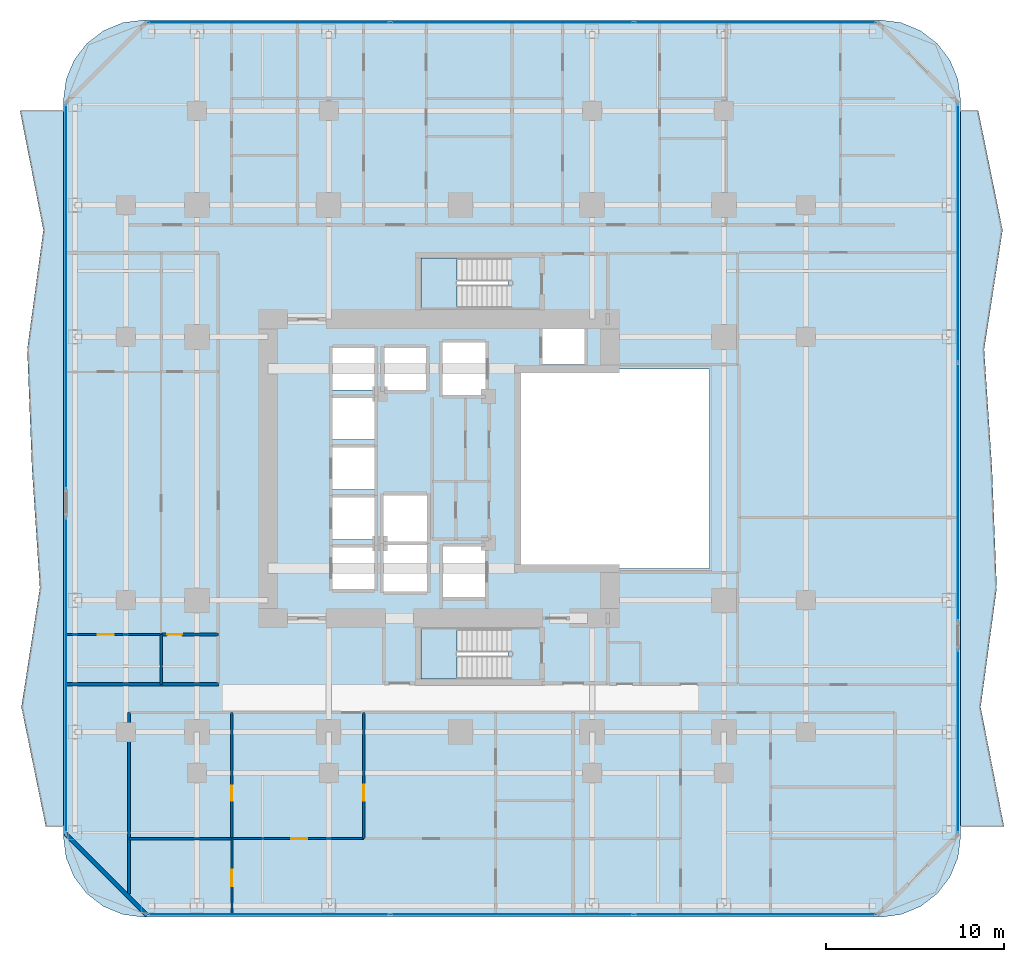
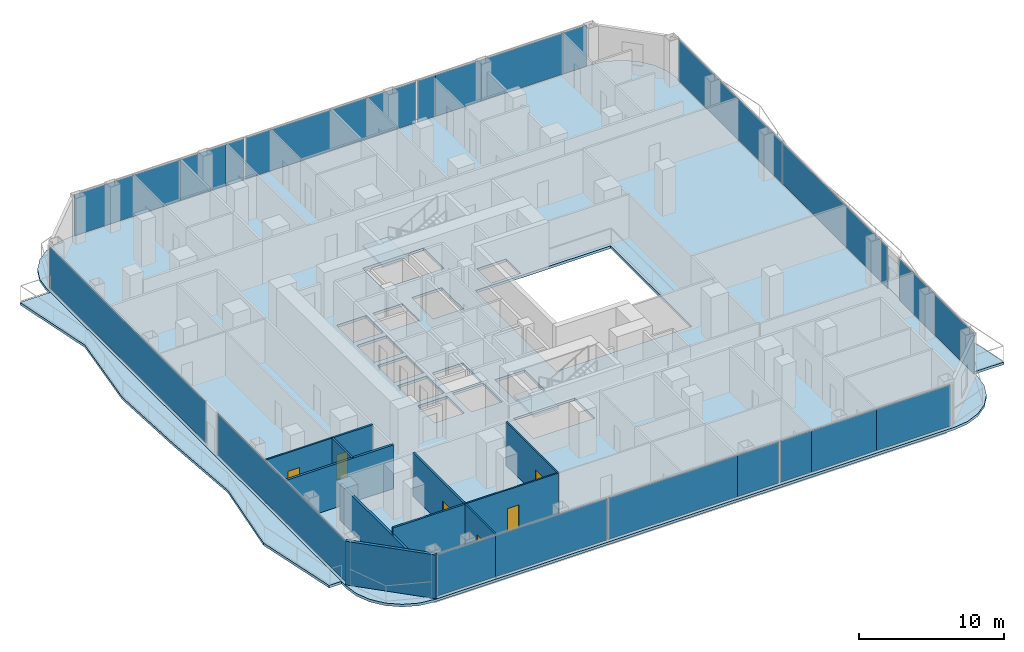
# One storey, part 19 of 27: 20 plates, 11 walls, 6 doors, 5 slabs, 6 openings, 8 elements without a shape of their own.
"""IFC4 building model written with IfcOpenShell, lengths in metres."""

import ifcopenshell
import ifcopenshell.guid

model = None  # the IFC model being written
_history = None  # IfcOwnerHistory: only IFC2X3 demands one
_inside = {}  # id of a spatial element -> (the spatial element, [elements in it])
_under = {}  # id of a project, library or spatial element -> (it, [spatial elements below it])
_declared = {}  # id of a project -> (the project, [libraries it declares])
_typed = {}  # id of a type object -> (the type object, [elements of that type])
_made_of = {}  # id of a material, layer set ... -> (it, [elements and type objects made of it])


def new_model(schema):
    """Start an empty IFC model of exactly this schema.

    Asked for "IFC4X3", IfcOpenShell would pick the latest addendum, in which some entities
    have other attributes; the version numbers below select the first issue.
    IFC2X3 requires an IfcOwnerHistory on every rooted entity: one is made here for all.
    """
    global model, _history
    if schema == "IFC4X3":
        model = ifcopenshell.file(schema_version=(4, 3, 0, 0))
    else:
        model = ifcopenshell.file(schema=schema)
    _inside.clear()
    _under.clear()
    _declared.clear()
    _typed.clear()
    _made_of.clear()
    _history = None
    if model.schema == "IFC2X3":
        org = make("IfcOrganization", Name="unknown")
        user = make(
            "IfcPersonAndOrganization",
            ThePerson=make("IfcPerson", FamilyName="unknown"),
            TheOrganization=org,
        )
        app = make(
            "IfcApplication",
            ApplicationDeveloper=org,
            Version="unknown",
            ApplicationFullName="unknown",
            ApplicationIdentifier="unknown",
        )
        _history = make(
            "IfcOwnerHistory",
            OwningUser=user,
            OwningApplication=app,
            ChangeAction="ADDED",
            CreationDate=0,
        )
    return model


def make(cls, **values):
    """One entity of the class cls with the attributes given. An attribute that is None is left unset."""
    return model.create_entity(
        cls, **{name: value for name, value in values.items() if value is not None}
    )


def rooted(cls, **values):
    """An entity with a GlobalId (a new one), such as an element, a storey or a relation."""
    return make(cls, GlobalId=ifcopenshell.guid.new(), OwnerHistory=_history, **values)


def si_unit(unit_type, name, prefix=None):
    """IfcSIUnit, for example si_unit("LENGTHUNIT", "METRE", prefix="MILLI")."""
    return make("IfcSIUnit", UnitType=unit_type, Prefix=prefix, Name=name)


def assignment(units):
    """IfcUnitAssignment: the units of a project."""
    return None if units is None else make("IfcUnitAssignment", Units=units)


def point(xyz):
    """IfcCartesianPoint."""
    return None if xyz is None else make("IfcCartesianPoint", Coordinates=xyz)


def direction(xyz):
    """IfcDirection."""
    return None if xyz is None else make("IfcDirection", DirectionRatios=xyz)


def frame(location, z_axis=None, x_axis=None):
    """IfcAxis2Placement3D, a coordinate frame: its origin and axes. An axis left out is left unset."""
    return make(
        "IfcAxis2Placement3D",
        Location=point(location),
        Axis=direction(z_axis),
        RefDirection=direction(x_axis),
    )


def frame_2d(location, x_axis=None):
    """IfcAxis2Placement2D, a coordinate frame in the plane: its origin and x axis."""
    return make(
        "IfcAxis2Placement2D", Location=point(location), RefDirection=direction(x_axis)
    )


def origin():
    """The frame at (0, 0, 0) with its axes left unset."""
    return frame((0.0, 0.0, 0.0))


def origin_2d():
    """The frame at (0, 0) in the plane with its x axis left unset."""
    return frame_2d((0.0, 0.0))


def place(relative_to, where):
    """IfcLocalPlacement: puts the frame where relative to a parent placement (None: the world)."""
    return make(
        "IfcLocalPlacement", PlacementRelTo=relative_to, RelativePlacement=where
    )


def context(
    kind, dimensions, precision=None, world=None, true_north=None, identifier=None
):
    """IfcGeometricRepresentationContext, for example the 3D "Model" context."""
    return make(
        "IfcGeometricRepresentationContext",
        ContextIdentifier=identifier,
        ContextType=kind,
        CoordinateSpaceDimension=dimensions,
        Precision=precision,
        WorldCoordinateSystem=world,
        TrueNorth=true_north,
    )


def subcontext(parent, identifier, kind, view, scale=None):
    """IfcGeometricRepresentationSubContext, for example "Body" below "Model"."""
    return make(
        "IfcGeometricRepresentationSubContext",
        ContextIdentifier=identifier,
        ContextType=kind,
        ParentContext=parent,
        TargetScale=scale,
        TargetView=view,
    )


def project(units=None, contexts=None):
    """IfcProject with its units and contexts."""
    return rooted(
        "IfcProject",
        Name="project",
        RepresentationContexts=contexts,
        UnitsInContext=assignment(units),
    )


def spatial(cls, under=None, at=None, **own):
    """A site, building, storey or space (cls), placed at a placement, below another one or the project."""
    s = rooted(cls, ObjectPlacement=at, **own)
    if under is not None:
        _under.setdefault(under.id(), (under, []))[1].append(s)
    return s


def polyline(points):
    """IfcPolyline through the points."""
    return make("IfcPolyline", Points=[point(p) for p in points])


def profile(cls, at=None, kind="AREA", **sizes):
    """A parametric profile (cls). Its sizes go by their IFC names, for example OverallWidth=200.0."""
    return make(cls, ProfileType=kind, Position=at, **sizes)


def rectangle(**sizes):
    """IfcRectangleProfileDef."""
    return profile("IfcRectangleProfileDef", **sizes)


def outline(outer, holes=None, kind="AREA"):
    """IfcArbitraryClosedProfileDef: a profile drawn as a closed curve; with holes, ...WithVoids."""
    if holes is None:
        return make("IfcArbitraryClosedProfileDef", ProfileType=kind, OuterCurve=outer)
    return make(
        "IfcArbitraryProfileDefWithVoids",
        ProfileType=kind,
        OuterCurve=outer,
        InnerCurves=holes,
    )


def extrude(swept, where, along, depth):
    """IfcExtrudedAreaSolid: the profile swept, set in the frame where, extruded along a direction by depth."""
    return make(
        "IfcExtrudedAreaSolid",
        SweptArea=swept,
        Position=where,
        ExtrudedDirection=direction(along),
        Depth=depth,
    )


def shape(context_of_items, identifier, shape_type, items):
    """IfcShapeRepresentation: the items that make up one representation, for example the "Body"."""
    return make(
        "IfcShapeRepresentation",
        ContextOfItems=context_of_items,
        RepresentationIdentifier=identifier,
        RepresentationType=shape_type,
        Items=items,
    )


def material(Name=None, Category=None):
    """IfcMaterial."""
    return make("IfcMaterial", Name=Name, Category=Category)


def layer(
    of_material, thickness, ventilated=None, Name=None, Category=None, Priority=None
):
    """IfcMaterialLayer: one layer of a wall or slab, of a material (None: an air gap)."""
    return make(
        "IfcMaterialLayer",
        Material=of_material,
        LayerThickness=thickness,
        IsVentilated=ventilated,
        Name=Name,
        Category=Category,
        Priority=Priority,
    )


def layer_set(layers, Name=None):
    """IfcMaterialLayerSet."""
    return make("IfcMaterialLayerSet", MaterialLayers=layers, LayerSetName=Name)


def made_of(thing, what):
    """Note that an element or type object is made of a material, layer set ...; save() writes the relation."""
    if what is not None:
        _made_of.setdefault(what.id(), (what, []))[1].append(thing)
    return thing


def type_object(cls, material=None, **own):
    """A type object (cls), such as IfcWallType, which elements share."""
    return made_of(rooted(cls, **own), material)


def element(
    cls,
    number,
    at=None,
    inside=None,
    cuts=None,
    type_object=None,
    material=None,
    context=None,
    identifier="Body",
    shape_type=None,
    held_by="IfcProductDefinitionShape",
    body=None,
    shapes=None,
    **own,
):
    """One element of the class cls, such as IfcWall. Its Tag is "e" and its number.

    at: its placement. inside: the storey or other place that contains it. cuts: it is an
    opening in that element (IfcRelVoidsElement). A single representation is given by context,
    identifier, shape_type and body (its items); several are given by shapes. held_by: the class
    of the entity that holds the representations. save() writes the other relations.
    """
    e = rooted(cls, Tag="e%d" % number, ObjectPlacement=at, **own)
    if body is not None:
        shapes = [shape(context, identifier, shape_type, body)]
    if shapes is not None:
        e.Representation = make(held_by, Representations=shapes)
    if inside is not None:
        _inside.setdefault(inside.id(), (inside, []))[1].append(e)
    if cuts is not None:
        rooted(
            "IfcRelVoidsElement", RelatingBuildingElement=cuts, RelatedOpeningElement=e
        )
    if type_object is not None:
        _typed.setdefault(type_object.id(), (type_object, []))[1].append(e)
    return made_of(e, material)


def fill(opening, filler):
    """IfcRelFillsElement: the door or window that sits in an opening."""
    return rooted(
        "IfcRelFillsElement",
        RelatingOpeningElement=opening,
        RelatedBuildingElement=filler,
    )


def aggregate(whole, parts):
    """IfcRelAggregates: a whole, such as a stair, and the parts it consists of."""
    return rooted("IfcRelAggregates", RelatingObject=whole, RelatedObjects=parts)


def save(model, path):
    """Write the relations noted so far, then the file.

    IfcRelAggregates (storeys below a building ...), IfcRelContainedInSpatialStructure (elements
    in a storey), IfcRelDefinesByType, IfcRelAssociatesMaterial and IfcRelDeclares: one each for
    every whole, place, type object, material and project.
    """
    for whole, parts in _under.values():
        aggregate(whole, parts)
    for where, things in _inside.values():
        rooted(
            "IfcRelContainedInSpatialStructure",
            RelatedElements=things,
            RelatingStructure=where,
        )
    for kind, things in _typed.values():
        rooted("IfcRelDefinesByType", RelatedObjects=things, RelatingType=kind)
    for what, things in _made_of.values():
        rooted("IfcRelAssociatesMaterial", RelatedObjects=things, RelatingMaterial=what)
    for by, libraries in _declared.values():
        rooted("IfcRelDeclares", RelatingContext=by, RelatedDefinitions=libraries)
    model.write(path)


model = new_model("IFC4")

# Units and contexts
model_context = context("Model", 3, precision=1e-05, world=origin(), true_north=direction((0.0, 1.0)))
body_context = subcontext(model_context, "Body", "Model", "MODEL_VIEW")
ifc_project = project(units=[si_unit("LENGTHUNIT", "METRE"), si_unit("AREAUNIT", "SQUARE_METRE"), si_unit("VOLUMEUNIT", "CUBIC_METRE"), si_unit("PLANEANGLEUNIT", "RADIAN"), si_unit("MASSUNIT", "GRAM", prefix="KILO")], contexts=[model_context])

# Site, building, storey
site_placement = place(None, origin())
site = spatial("IfcSite", under=ifc_project, at=site_placement, CompositionType="ELEMENT")
building_placement = place(site_placement, origin())
building = spatial("IfcBuilding", under=site, at=building_placement, Name="Khorvyn Point Tower", CompositionType="ELEMENT")
storey_placement = place(building_placement, frame((0.0, 0.0, 46.199951171875)))
storey = spatial("IfcBuildingStorey", under=building, at=storey_placement, Name="L12", CompositionType="ELEMENT", Elevation=46.199951171875)

# Slabs
ifc_material_1 = material(Name="Concrete C35/45", Category="concrete")
ifc_layer_1 = layer(ifc_material_1, 0.219970703125)
ifc_layer_set_1 = layer_set([ifc_layer_1], Name="Concrete C35/45 Structural Floor Slab 220")
slab_type_1 = type_object("IfcSlabType", Name="Concrete C35/45 Structural Floor Slab 220", PredefinedType="FLOOR", material=ifc_layer_set_1)
slab_1_placement = place(storey_placement, frame((0.0, 0.0, -0.219970703125)))
element("IfcSlab", 1, at=slab_1_placement, inside=storey, type_object=slab_type_1, Name="L12 Main Structural Floor Slab", PredefinedType="FLOOR", context=body_context, shape_type="SweptSolid", body=[
    extrude(outline(polyline([(-17.800048828125, -25.199951171875), (-18.964599609375, -25.046630859375), (-20.050048828125, -24.59716796875), (-20.98193359375, -23.882080078125), (-21.697021484375, -22.949951171875), (-22.146728515625, -21.86474609375), (-22.300048828125, -20.699951171875), (-22.300048828125, 20.699951171875), (-22.146728515625, 21.86474609375), (-21.697021484375, 22.949951171875), (-20.98193359375, 23.882080078125), (-20.050048828125, 24.59716796875), (-18.964599609375, 25.046630859375), (-17.800048828125, 25.199951171875), (23.60009765625, 25.199951171875), (24.7646484375, 25.046630859375), (25.85009765625, 24.59716796875), (26.781982421875, 23.882080078125), (27.4970703125, 22.949951171875), (27.94677734375, 21.86474609375), (28.10009765625, 20.699951171875), (28.10009765625, -20.699951171875), (27.94677734375, -21.86474609375), (27.4970703125, -22.949951171875), (26.781982421875, -23.882080078125), (25.85009765625, -24.59716796875), (24.7646484375, -25.046630859375), (23.60009765625, -25.199951171875), (-17.800048828125, -25.199951171875)]), holes=[polyline([(-4.824951171875, -6.77490234375), (-4.824951171875, -4.425048828125), (-7.175048828125, -4.425048828125), (-7.175048828125, -6.77490234375), (-4.824951171875, -6.77490234375)]), polyline([(-4.324951171875, -6.89990234375), (-1.875, -6.89990234375), (-1.875, -4.300048828125), (-4.324951171875, -4.300048828125), (-4.324951171875, -6.89990234375)]), polyline([(-7.175048828125, -3.97509765625), (-4.824951171875, -3.97509765625), (-4.824951171875, -1.625), (-7.175048828125, -1.625), (-7.175048828125, -3.97509765625)]), polyline([(-7.175048828125, -1.175048828125), (-4.824951171875, -1.175048828125), (-4.824951171875, 1.175048828125), (-7.175048828125, 1.175048828125), (-7.175048828125, -1.175048828125)]), polyline([(-7.175048828125, 1.625), (-4.824951171875, 1.625), (-4.824951171875, 3.97509765625), (-7.175048828125, 3.97509765625), (-7.175048828125, 1.625)]), polyline([(-7.175048828125, 4.425048828125), (-4.824951171875, 4.425048828125), (-4.824951171875, 6.77490234375), (-7.175048828125, 6.77490234375), (-7.175048828125, 4.425048828125)]), polyline([(-4.27490234375, 4.425048828125), (-1.925048828125, 4.425048828125), (-1.925048828125, 6.77490234375), (-4.27490234375, 6.77490234375), (-4.27490234375, 4.425048828125)]), polyline([(2.679931640625, -11.820068359375), (2.679931640625, -9.02001953125), (-2.199951171875, -9.02001953125), (-2.199951171875, -11.820068359375), (2.679931640625, -11.820068359375)]), polyline([(-0.97509765625, -7.22509765625), (1.375, -7.22509765625), (1.375, -4.375), (-0.97509765625, -4.375), (-0.97509765625, -7.22509765625)]), polyline([(-4.324951171875, -4.10009765625), (-1.875, -4.10009765625), (-1.875, -1.5), (-4.324951171875, -1.5), (-4.324951171875, -4.10009765625)]), polyline([(3.199951171875, -5.60009765625), (14.0, -5.60009765625), (14.0, 5.60009765625), (3.199951171875, 5.60009765625), (3.199951171875, -5.60009765625)]), polyline([(-1.0, 4.125), (1.39990234375, 4.125), (1.39990234375, 7.074951171875), (-1.0, 7.074951171875), (-1.0, 4.125)]), polyline([(4.625, 5.85009765625), (6.97509765625, 5.85009765625), (6.97509765625, 7.830078125), (4.625, 7.830078125), (4.625, 5.85009765625)]), polyline([(-2.199951171875, 9.02001953125), (2.679931640625, 9.02001953125), (2.679931640625, 11.820068359375), (-2.199951171875, 11.820068359375), (-2.199951171875, 9.02001953125)])]), origin(), (0.0, 0.0, 1.0), 0.219970703125),
])
ifc_material_2 = material(Name="Concrete C40/50", Category="concrete")
ifc_layer_2 = layer(ifc_material_2, 0.2099609375)
ifc_layer_set_2 = layer_set([ifc_layer_2], Name="Concrete C40/50 Rippling Balcony Slab 210")
slab_type_2 = type_object("IfcSlabType", Name="Concrete C40/50 Rippling Balcony Slab 210", PredefinedType="USERDEFINED", material=ifc_layer_set_2)
slab_2_placement = place(storey_placement, frame((0.0, 0.0, -0.2099609375)))
element("IfcSlab", 2, at=slab_2_placement, inside=storey, type_object=slab_type_2, Name="L12 East Sinusoidal Rippling Balcony", ObjectType="BALCONY", PredefinedType="USERDEFINED", context=body_context, shape_type="SweptSolid", body=[
    extrude(outline(polyline([(28.10009765625, -20.10009765625), (30.53857421875, -20.10009765625), (29.225341796875, -13.39990234375), (30.129638671875, -6.699951171875), (29.864990234375, 0.0), (29.422607421875, 6.699951171875), (30.458984375, 13.39990234375), (29.0927734375, 20.10009765625), (28.10009765625, 20.10009765625), (28.10009765625, -20.10009765625)])), origin(), (0.0, 0.0, 1.0), 0.2099609375),
])
slab_3_placement = place(storey_placement, frame((0.0, 0.0, -0.2099609375)))
element("IfcSlab", 3, at=slab_3_placement, inside=storey, type_object=slab_type_2, Name="L12 West Sinusoidal Rippling Balcony", ObjectType="BALCONY", PredefinedType="USERDEFINED", context=body_context, shape_type="SweptSolid", body=[
    extrude(outline(polyline([(-22.300048828125, 20.10009765625), (-24.738525390625, 20.10009765625), (-23.42529296875, 13.39990234375), (-24.32958984375, 6.699951171875), (-24.06494140625, 0.0), (-23.62255859375, -6.699951171875), (-24.6591796875, -13.39990234375), (-23.292724609375, -20.10009765625), (-22.300048828125, -20.10009765625), (-22.300048828125, 20.10009765625)])), origin(), (0.0, 0.0, 1.0), 0.2099609375),
])

# Stair, slab
stair_type = type_object("IfcStairType", Name="Tower Concrete C40/50 Dogleg Exit Stair", PredefinedType="HALF_TURN_STAIR", material=ifc_material_2)
stair_1_placement = place(storey_placement, origin())
stair_1 = element("IfcStair", 4, at=stair_1_placement, inside=storey, type_object=stair_type, Name="L12 Tower Smokeproof Exit Stair South", PredefinedType="HALF_TURN_STAIR")
ifc_layer_3 = layer(ifc_material_2, 0.199951171875)
ifc_layer_set_3 = layer_set([ifc_layer_3], Name="Concrete C40/50 Stair Landing Slab 200")
slab_type_3 = type_object("IfcSlabType", Name="Concrete C40/50 Stair Landing Slab 200", PredefinedType="LANDING", material=ifc_layer_set_3)
slab_4_placement = place(storey_placement, frame((0.0, 0.0, 1.75)))
slab_4 = element("IfcSlab", 5, at=slab_4_placement, type_object=slab_type_3, Name="ST-01 landing 1", PredefinedType="LANDING", context=body_context, shape_type="SweptSolid", body=[
    extrude(outline(polyline([(-0.179931640625, -9.02001953125), (-2.199951171875, -9.02001953125), (-2.199951171875, -11.820068359375), (-0.179931640625, -11.820068359375), (-0.179931640625, -9.02001953125)])), origin(), (0.0, 0.0, 1.0), 0.199951171875),
])
aggregate(stair_1, [slab_4])

stair_2_placement = place(storey_placement, origin())
stair_2 = element("IfcStair", 6, at=stair_2_placement, inside=storey, type_object=stair_type, Name="L12 Tower Smokeproof Exit Stair North", PredefinedType="HALF_TURN_STAIR")
slab_5_placement = place(storey_placement, frame((0.0, 0.0, 1.75)))
slab_5 = element("IfcSlab", 7, at=slab_5_placement, type_object=slab_type_3, Name="ST-02 landing 1", PredefinedType="LANDING", context=body_context, shape_type="SweptSolid", body=[
    extrude(outline(polyline([(-0.179931640625, 11.820068359375), (-2.199951171875, 11.820068359375), (-2.199951171875, 9.02001953125), (-0.179931640625, 9.02001953125), (-0.179931640625, 11.820068359375)])), origin(), (0.0, 0.0, 1.0), 0.199951171875),
])
aggregate(stair_2, [slab_5])

# Curtain wall, plates
ifc_material_3 = material(Name="Anodised aluminium 6063-T6 and laminated Low-E glass", Category="aluminium")
ifc_layer_4 = layer(ifc_material_3, 0.18994140625)
ifc_layer_set_4 = layer_set([ifc_layer_4], Name="Stick-Built Finned Residential Curtain Wall CW-SYS-02")
curtain_wall_type = type_object("IfcCurtainWallType", Name="Stick-Built Finned Residential Curtain Wall CW-SYS-02", PredefinedType="NOTDEFINED", material=ifc_layer_set_4)
curtain_wall_1_placement = place(storey_placement, origin())
curtain_wall_1 = element("IfcCurtainWall", 8, at=curtain_wall_1_placement, inside=storey, type_object=curtain_wall_type, Name="Curtain Wall", PredefinedType="NOTDEFINED")
ifc_material_4 = material(Name="Laminated Low-E insulated glass", Category="glass")
ifc_layer_5 = layer(ifc_material_4, 0.028076171875)
ifc_layer_set_5 = layer_set([ifc_layer_5], Name="Tempered Low-E Vision Glazing Panel CW-GL28")
plate_type = type_object("IfcPlateType", Name="Tempered Low-E Vision Glazing Panel CW-GL28", PredefinedType="CURTAIN_PANEL", material=ifc_layer_set_5)
plate_1_placement = place(storey_placement, frame((11.0576171875, -25.050048828125, 0.10009765625), z_axis=(0.0, 0.0, 1.0), x_axis=(-1.0, 0.0, 0.0)))
plate_1 = element("IfcPlate", 9, at=plate_1_placement, type_object=plate_type, Name="Panel", PredefinedType="CURTAIN_PANEL", context=body_context, shape_type="SweptSolid", body=[
    extrude(rectangle(XDim=2.507080078125, YDim=0.028076171875, at=origin_2d()), origin(), (0.0, 0.0, 1.0), 3.47998046875),
])
plate_2_placement = place(storey_placement, frame((14.901611328125, -25.050048828125, 0.10009765625), z_axis=(0.0, 0.0, 1.0), x_axis=(-1.0, 0.0, 0.0)))
plate_2 = element("IfcPlate", 10, at=plate_2_placement, type_object=plate_type, Name="Panel", PredefinedType="CURTAIN_PANEL", context=body_context, shape_type="SweptSolid", body=[
    extrude(rectangle(XDim=5.1650390625, YDim=0.028076171875, at=origin_2d()), origin(), (0.0, 0.0, 1.0), 3.47998046875),
])
plate_3_placement = place(storey_placement, frame((20.4189453125, -25.050048828125, 0.10009765625), z_axis=(0.0, 0.0, 1.0), x_axis=(-1.0, 0.0, 0.0)))
plate_3 = element("IfcPlate", 11, at=plate_3_placement, type_object=plate_type, Name="Panel", PredefinedType="CURTAIN_PANEL", context=body_context, shape_type="SweptSolid", body=[
    extrude(rectangle(XDim=5.85400390625, YDim=0.028076171875, at=origin_2d()), origin(), (0.0, 0.0, 1.0), 3.47998046875),
])
plate_4_placement = place(storey_placement, frame((1.25146484375, -25.050048828125, 0.10009765625), z_axis=(0.0, 0.0, 1.0), x_axis=(-1.0, 0.0, 0.0)))
plate_4 = element("IfcPlate", 12, at=plate_4_placement, type_object=plate_type, Name="Panel", PredefinedType="CURTAIN_PANEL", context=body_context, shape_type="SweptSolid", body=[
    extrude(rectangle(XDim=10.294921875, YDim=0.028076171875, at=origin_2d()), origin(), (0.0, 0.0, 1.0), 3.47998046875),
])
plate_5_placement = place(storey_placement, frame((8.051513671875, -25.050048828125, 0.10009765625), z_axis=(0.0, 0.0, 1.0), x_axis=(-1.0, 0.0, 0.0)))
plate_5 = element("IfcPlate", 13, at=plate_5_placement, type_object=plate_type, Name="Panel", PredefinedType="CURTAIN_PANEL", context=body_context, shape_type="SweptSolid", body=[
    extrude(rectangle(XDim=3.2890625, YDim=0.028076171875, at=origin_2d()), origin(), (0.0, 0.0, 1.0), 3.47998046875),
])
plate_6_placement = place(storey_placement, frame((-15.223388671875, -25.050048828125, 0.10009765625), z_axis=(0.0, 0.0, 1.0), x_axis=(-1.0, 0.0, 0.0)))
plate_6 = element("IfcPlate", 14, at=plate_6_placement, type_object=plate_type, Name="Panel", PredefinedType="CURTAIN_PANEL", context=body_context, shape_type="SweptSolid", body=[
    extrude(rectangle(XDim=4.64501953125, YDim=0.028076171875, at=origin_2d()), origin(), (0.0, 0.0, 1.0), 3.47998046875),
])
plate_7_placement = place(storey_placement, frame((-8.448486328125, -25.050048828125, 0.10009765625), z_axis=(0.0, 0.0, 1.0), x_axis=(-1.0, 0.0, 0.0)))
plate_7 = element("IfcPlate", 15, at=plate_7_placement, type_object=plate_type, Name="Panel", PredefinedType="CURTAIN_PANEL", context=body_context, shape_type="SweptSolid", body=[
    extrude(rectangle(XDim=8.888916015625, YDim=0.028076171875, at=origin_2d()), origin(), (0.0, 0.0, 1.0), 3.47998046875),
])
aggregate(curtain_wall_1, [plate_1, plate_2, plate_3, plate_4, plate_5, plate_6, plate_7])

curtain_wall_2_placement = place(storey_placement, origin())
curtain_wall_2 = element("IfcCurtainWall", 16, at=curtain_wall_2_placement, inside=storey, type_object=curtain_wall_type, Name="Curtain Wall", PredefinedType="NOTDEFINED")
plate_8_placement = place(storey_placement, frame((-13.320556640625, 25.050048828125, 0.10009765625), z_axis=(0.0, 0.0, 1.0), x_axis=(1.0, 0.0, 0.0)))
plate_8 = element("IfcPlate", 17, at=plate_8_placement, type_object=plate_type, Name="Panel", PredefinedType="CURTAIN_PANEL", context=body_context, shape_type="SweptSolid", body=[
    extrude(rectangle(XDim=8.450927734375, YDim=0.028076171875, at=origin_2d()), origin(), (0.0, 0.0, 1.0), 3.47998046875),
])
plate_9_placement = place(storey_placement, frame((-7.29248046875, 25.050048828125, 0.10009765625), z_axis=(0.0, 0.0, 1.0), x_axis=(1.0, 0.0, 0.0)))
plate_9 = element("IfcPlate", 18, at=plate_9_placement, type_object=plate_type, Name="Panel", PredefinedType="CURTAIN_PANEL", context=body_context, shape_type="SweptSolid", body=[
    extrude(rectangle(XDim=3.589111328125, YDim=0.028076171875, at=origin_2d()), origin(), (0.0, 0.0, 1.0), 3.47998046875),
])
plate_10_placement = place(storey_placement, frame((-4.7470703125, 25.050048828125, 0.10009765625), z_axis=(0.0, 0.0, 1.0), x_axis=(1.0, 0.0, 0.0)))
plate_10 = element("IfcPlate", 19, at=plate_10_placement, type_object=plate_type, Name="Panel", PredefinedType="CURTAIN_PANEL", context=body_context, shape_type="SweptSolid", body=[
    extrude(rectangle(XDim=1.486083984375, YDim=0.028076171875, at=origin_2d()), origin(), (0.0, 0.0, 1.0), 3.47998046875),
])
plate_11_placement = place(storey_placement, frame((2.89990234375, 25.050048828125, 0.10009765625), z_axis=(0.0, 0.0, 1.0), x_axis=(1.0, 0.0, 0.0)))
plate_11 = element("IfcPlate", 20, at=plate_11_placement, type_object=plate_type, Name="Panel", PredefinedType="CURTAIN_PANEL", context=body_context, shape_type="SweptSolid", body=[
    extrude(rectangle(XDim=13.60009765625, YDim=0.028076171875, at=origin_2d()), origin(), (0.0, 0.0, 1.0), 3.47998046875),
])
plate_12_placement = place(storey_placement, frame((10.525390625, 25.050048828125, 0.10009765625), z_axis=(0.0, 0.0, 1.0), x_axis=(1.0, 0.0, 0.0)))
plate_12 = element("IfcPlate", 21, at=plate_12_placement, type_object=plate_type, Name="Panel", PredefinedType="CURTAIN_PANEL", context=body_context, shape_type="SweptSolid", body=[
    extrude(rectangle(XDim=1.443115234375, YDim=0.028076171875, at=origin_2d()), origin(), (0.0, 0.0, 1.0), 3.47998046875),
])
plate_13_placement = place(storey_placement, frame((13.071044921875, 25.050048828125, 0.10009765625), z_axis=(0.0, 0.0, 1.0), x_axis=(1.0, 0.0, 0.0)))
plate_13 = element("IfcPlate", 22, at=plate_13_placement, type_object=plate_type, Name="Panel", PredefinedType="CURTAIN_PANEL", context=body_context, shape_type="SweptSolid", body=[
    extrude(rectangle(XDim=3.632080078125, YDim=0.028076171875, at=origin_2d()), origin(), (0.0, 0.0, 1.0), 3.47998046875),
])
plate_14_placement = place(storey_placement, frame((18.151611328125, 25.050048828125, 0.10009765625), z_axis=(0.0, 0.0, 1.0), x_axis=(1.0, 0.0, 0.0)))
plate_14 = element("IfcPlate", 23, at=plate_14_placement, type_object=plate_type, Name="Panel", PredefinedType="CURTAIN_PANEL", context=body_context, shape_type="SweptSolid", body=[
    extrude(rectangle(XDim=6.512939453125, YDim=0.028076171875, at=origin_2d()), origin(), (0.0, 0.0, 1.0), 3.47998046875),
])
plate_15_placement = place(storey_placement, frame((22.381103515625, 25.050048828125, 0.10009765625), z_axis=(0.0, 0.0, 1.0), x_axis=(1.0, 0.0, 0.0)))
plate_15 = element("IfcPlate", 24, at=plate_15_placement, type_object=plate_type, Name="Panel", PredefinedType="CURTAIN_PANEL", context=body_context, shape_type="SweptSolid", body=[
    extrude(rectangle(XDim=1.929931640625, YDim=0.028076171875, at=origin_2d()), origin(), (0.0, 0.0, 1.0), 3.47998046875),
])
aggregate(curtain_wall_2, [plate_8, plate_9, plate_10, plate_11, plate_12, plate_13, plate_14, plate_15])

# Curtain wall, plate
curtain_wall_3_placement = place(storey_placement, origin())
curtain_wall_3 = element("IfcCurtainWall", 25, at=curtain_wall_3_placement, inside=storey, type_object=curtain_wall_type, Name="Curtain Wall", PredefinedType="NOTDEFINED")
plate_16_placement = place(storey_placement, frame((-22.14990234375, -11.60595703125, 0.10009765625), z_axis=(0.0, 0.0, 1.0), x_axis=(0.0, 1.0, 0.0)))
plate_16 = element("IfcPlate", 26, at=plate_16_placement, type_object=plate_type, Name="Panel", PredefinedType="CURTAIN_PANEL", context=body_context, shape_type="SweptSolid", body=[
    extrude(rectangle(XDim=17.68798828125, YDim=0.028076171875, at=origin_2d()), origin(), (0.0, 0.0, 1.0), 3.47998046875),
])
aggregate(curtain_wall_3, [plate_16])

curtain_wall_4_placement = place(storey_placement, origin())
curtain_wall_4 = element("IfcCurtainWall", 27, at=curtain_wall_4_placement, inside=storey, type_object=curtain_wall_type, Name="Curtain Wall", PredefinedType="NOTDEFINED")
plate_17_placement = place(storey_placement, frame((-22.14990234375, 9.6640625, 0.10009765625), z_axis=(0.0, 0.0, 1.0), x_axis=(0.0, 1.0, 0.0)))
plate_17 = element("IfcPlate", 28, at=plate_17_placement, type_object=plate_type, Name="Panel", PredefinedType="CURTAIN_PANEL", context=body_context, shape_type="SweptSolid", body=[
    extrude(rectangle(XDim=21.572021484375, YDim=0.028076171875, at=origin_2d()), origin(), (0.0, 0.0, 1.0), 3.47998046875),
])
aggregate(curtain_wall_4, [plate_17])

# Curtain wall, plates
curtain_wall_5_placement = place(storey_placement, origin())
curtain_wall_5 = element("IfcCurtainWall", 29, at=curtain_wall_5_placement, inside=storey, type_object=curtain_wall_type, Name="Curtain Wall", PredefinedType="NOTDEFINED")
plate_18_placement = place(storey_placement, frame((27.949951171875, 13.225830078125, 0.10009765625), z_axis=(0.0, 0.0, 1.0), x_axis=(0.0, -1.0, 0.0)))
plate_18 = element("IfcPlate", 30, at=plate_18_placement, type_object=plate_type, Name="Panel", PredefinedType="CURTAIN_PANEL", context=body_context, shape_type="SweptSolid", body=[
    extrude(rectangle(XDim=14.448486328125, YDim=0.028076171875, at=origin_2d()), origin(), (0.0, 0.0, 1.0), 3.47998046875),
])
plate_19_placement = place(storey_placement, frame((27.949951171875, -1.32275390625, 0.10009765625), z_axis=(0.0, 0.0, 1.0), x_axis=(0.0, -1.0, 0.0)))
plate_19 = element("IfcPlate", 31, at=plate_19_placement, type_object=plate_type, Name="Panel", PredefinedType="CURTAIN_PANEL", context=body_context, shape_type="SweptSolid", body=[
    extrude(rectangle(XDim=14.448486328125, YDim=0.028076171875, at=origin_2d()), origin(), (0.0, 0.0, 1.0), 3.47998046875),
])
aggregate(curtain_wall_5, [plate_18, plate_19])

# Curtain wall, plate
curtain_wall_6_placement = place(storey_placement, origin())
curtain_wall_6 = element("IfcCurtainWall", 32, at=curtain_wall_6_placement, inside=storey, type_object=curtain_wall_type, Name="Curtain Wall", PredefinedType="NOTDEFINED")
plate_20_placement = place(storey_placement, frame((27.949951171875, -15.318603515625, 0.10009765625), z_axis=(0.0, 0.0, 1.0), x_axis=(0.0, -1.0, 0.0)))
plate_20 = element("IfcPlate", 33, at=plate_20_placement, type_object=plate_type, Name="Panel", PredefinedType="CURTAIN_PANEL", context=body_context, shape_type="SweptSolid", body=[
    extrude(rectangle(XDim=10.262939453125, YDim=0.028076171875, at=origin_2d()), origin(), (0.0, 0.0, 1.0), 3.47998046875),
])
aggregate(curtain_wall_6, [plate_20])

# Walls
ifc_material_5 = material(Name="Double acoustic gypsum on twin steel stud", Category="steel")
ifc_layer_6 = layer(ifc_material_5, 0.179931640625)
ifc_layer_set_6 = layer_set([ifc_layer_6], Name="Acoustic Double-Stud Apartment Demising Wall 180")
wall_type_1 = type_object("IfcWallType", Name="Acoustic Double-Stud Apartment Demising Wall 180", PredefinedType="PARTITIONING", material=ifc_layer_set_6)
wall_1_placement = place(storey_placement, frame((-18.6201171875, -23.909912109375, 0.0), z_axis=(0.0, 0.0, 1.0), x_axis=(0.0, 1.0, 0.0)))
element("IfcWall", 34, at=wall_1_placement, inside=storey, type_object=wall_type_1, Name="Wall", PredefinedType="PARTITIONING", context=body_context, shape_type="SweptSolid", body=[
    extrude(rectangle(XDim=10.2099609375, YDim=0.179931640625, at=frame_2d((5.10498046875, 0.0))), origin(), (0.0, 0.0, 1.0), 3.08203125),
])
wall_2_placement = place(storey_placement, frame((-22.1298828125, -12.1201171875, 0.0), z_axis=(0.0, 0.0, 1.0), x_axis=(1.0, 0.0, 0.0)))
element("IfcWall", 35, at=wall_2_placement, inside=storey, type_object=wall_type_1, Name="Wall", PredefinedType="PARTITIONING", context=body_context, shape_type="SweptSolid", body=[
    extrude(rectangle(XDim=8.52978515625, YDim=0.179931640625, at=frame_2d((4.264892578125, 0.0))), origin(), (0.0, 0.0, 1.0), 3.679931640625),
])
ifc_material_6 = material(Name="Pale anodised aluminium rainscreen on steel stud", Category="steel")
ifc_layer_7 = layer(ifc_material_6, 0.239990234375)
ifc_layer_set_7 = layer_set([ifc_layer_7], Name="Anodised Aluminium Insulated Corner Spandrel Wall 240")
wall_type_2 = type_object("IfcWallType", Name="Anodised Aluminium Insulated Corner Spandrel Wall 240", PredefinedType="SOLIDWALL", material=ifc_layer_set_7)
wall_3_placement = place(storey_placement, frame((-17.607666015625, -25.09228515625, 0.0), z_axis=(0.0, 0.0, 1.0), x_axis=(-0.707106781187, 0.707106781187, 0.0)))
element("IfcWall", 36, at=wall_3_placement, inside=storey, type_object=wall_type_2, Name="L12 Rounded Corner Wall SW", PredefinedType="SOLIDWALL", context=body_context, shape_type="SweptSolid", body=[
    extrude(rectangle(XDim=6.48388671875, YDim=0.239990234375, at=frame_2d((3.241943359375, 0.0))), origin(), (0.0, 0.0, 1.0), 3.679931640625),
])

# Wall, opening, door
ifc_material_7 = material(Name="Gypsum plasterboard on steel stud", Category="steel")
ifc_layer_8 = layer(ifc_material_7, 0.1201171875)
ifc_layer_set_8 = layer_set([ifc_layer_8], Name="Gypsum Acoustic Stud Room Partition Wall 120")
wall_type_3 = type_object("IfcWallType", Name="Gypsum Acoustic Stud Room Partition Wall 120", PredefinedType="PARTITIONING", material=ifc_layer_set_8)
wall_4_placement = place(storey_placement, frame((-12.8369140625, -20.7900390625, 0.0), z_axis=(0.0, 0.0, 1.0), x_axis=(1.0, 0.0, 0.0)))
wall_4 = element("IfcWall", 37, at=wall_4_placement, inside=storey, type_object=wall_type_3, Name="Wall", PredefinedType="PARTITIONING", context=body_context, shape_type="SweptSolid", body=[
    extrude(rectangle(XDim=7.411865234375, YDim=0.1201171875, at=frame_2d((3.7060546875, 0.0))), origin(), (0.0, 0.0, 1.0), 3.679931640625),
])
opening_1_placement = place(wall_4_placement, frame((3.344482421875, 0.0, 0.0)))
opening_1 = element("IfcOpeningElement", 38, at=opening_1_placement, cuts=wall_4, Name="Opening ID-RM90", PredefinedType="OPENING", context=body_context, shape_type="SweptSolid", body=[
    extrude(rectangle(XDim=0.89990234375, YDim=2.10009765625, at=frame_2d((0.449951171875, 1.050048828125))), frame((0.0, 0.070068359375, 0.0), z_axis=(0.0, -1.0, 0.0), x_axis=(1.0, 0.0, 0.0)), (0.0, 0.0, 1.0), 0.14013671875),
])
ifc_material_8 = material(Name="Engineered oak veneer timber", Category="wood")
door_type_1 = type_object("IfcDoorType", Name="Flush Engineered Timber Room Door 900x2100", OperationType="NOTDEFINED", PredefinedType="DOOR", material=ifc_material_8)
door_1_placement = place(opening_1_placement, origin())
door_1 = element("IfcDoor", 39, at=door_1_placement, inside=storey, type_object=door_type_1, Name="Door", OperationType="SINGLE_SWING_RIGHT", OverallHeight=2.10009765625, OverallWidth=0.89990234375, PredefinedType="DOOR", context=body_context, shape_type="SweptSolid", body=[
    extrude(rectangle(XDim=0.89990234375, YDim=2.10009765625, at=frame_2d((0.449951171875, 1.050048828125))), frame((0.0, 0.02490234375, 0.0), z_axis=(0.0, -1.0, 0.0), x_axis=(1.0, 0.0, 0.0)), (0.0, 0.0, 1.0), 0.050048828125),
])
fill(opening_1, door_1)

wall_5_placement = place(storey_placement, frame((-5.425048828125, -20.7900390625, 0.0), z_axis=(0.0, 0.0, 1.0), x_axis=(0.0, 1.0, 0.0)))
wall_5 = element("IfcWall", 40, at=wall_5_placement, inside=storey, type_object=wall_type_3, Name="Wall", PredefinedType="PARTITIONING", context=body_context, shape_type="SweptSolid", body=[
    extrude(rectangle(XDim=7.090087890625, YDim=0.1201171875, at=frame_2d((3.544921875, 0.0))), origin(), (0.0, 0.0, 1.0), 3.679931640625),
])
opening_2_placement = place(wall_5_placement, frame((2.11669921875, 0.0, 0.0)))
opening_2 = element("IfcOpeningElement", 41, at=opening_2_placement, cuts=wall_5, Name="Opening ID-RM90", PredefinedType="OPENING", context=body_context, shape_type="SweptSolid", body=[
    extrude(rectangle(XDim=0.89990234375, YDim=2.10009765625, at=frame_2d((0.449951171875, 1.050048828125))), frame((0.0, 0.070068359375, 0.0), z_axis=(0.0, -1.0, 0.0), x_axis=(1.0, 0.0, 0.0)), (0.0, 0.0, 1.0), 0.14013671875),
])
door_2_placement = place(opening_2_placement, origin())
door_2 = element("IfcDoor", 42, at=door_2_placement, inside=storey, type_object=door_type_1, Name="Door", OperationType="SINGLE_SWING_RIGHT", OverallHeight=2.10009765625, OverallWidth=0.89990234375, PredefinedType="DOOR", context=body_context, shape_type="SweptSolid", body=[
    extrude(rectangle(XDim=0.89990234375, YDim=2.10009765625, at=frame_2d((0.449951171875, 1.050048828125))), frame((0.0, 0.02490234375, 0.0), z_axis=(0.0, -1.0, 0.0), x_axis=(1.0, 0.0, 0.0)), (0.0, 0.0, 1.0), 0.050048828125),
])
fill(opening_2, door_2)

wall_6_placement = place(storey_placement, frame((-12.8369140625, -25.030029296875, 0.0), z_axis=(0.0, 0.0, 1.0), x_axis=(0.0, 1.0, 0.0)))
wall_6 = element("IfcWall", 43, at=wall_6_placement, inside=storey, type_object=wall_type_3, Name="Wall", PredefinedType="PARTITIONING", context=body_context, shape_type="SweptSolid", body=[
    extrude(rectangle(XDim=4.239990234375, YDim=0.1201171875, at=frame_2d((2.1201171875, 0.0))), origin(), (0.0, 0.0, 1.0), 3.679931640625),
])
opening_3_placement = place(wall_6_placement, frame((1.581298828125, 0.0, 0.0)))
opening_3 = element("IfcOpeningElement", 44, at=opening_3_placement, cuts=wall_6, Name="Opening ID-RM90", PredefinedType="OPENING", context=body_context, shape_type="SweptSolid", body=[
    extrude(rectangle(XDim=0.89990234375, YDim=2.10009765625, at=frame_2d((0.449951171875, 1.050048828125))), frame((0.0, 0.070068359375, 0.0), z_axis=(0.0, -1.0, 0.0), x_axis=(1.0, 0.0, 0.0)), (0.0, 0.0, 1.0), 0.14013671875),
])
door_3_placement = place(opening_3_placement, origin())
door_3 = element("IfcDoor", 45, at=door_3_placement, inside=storey, type_object=door_type_1, Name="Door", OperationType="SINGLE_SWING_RIGHT", OverallHeight=2.10009765625, OverallWidth=0.89990234375, PredefinedType="DOOR", context=body_context, shape_type="SweptSolid", body=[
    extrude(rectangle(XDim=0.89990234375, YDim=2.10009765625, at=frame_2d((0.449951171875, 1.050048828125))), frame((0.0, 0.02490234375, 0.0), z_axis=(0.0, -1.0, 0.0), x_axis=(1.0, 0.0, 0.0)), (0.0, 0.0, 1.0), 0.050048828125),
])
fill(opening_3, door_3)

wall_7_placement = place(storey_placement, frame((-22.1298828125, -9.320068359375, 0.0), z_axis=(0.0, 0.0, 1.0), x_axis=(1.0, 0.0, 0.0)))
wall_7 = element("IfcWall", 46, at=wall_7_placement, inside=storey, type_object=wall_type_3, Name="Wall", PredefinedType="PARTITIONING", context=body_context, shape_type="SweptSolid", body=[
    extrude(rectangle(XDim=5.32177734375, YDim=0.1201171875, at=frame_2d((2.660888671875, 0.0))), origin(), (0.0, 0.0, 1.0), 3.679931640625),
])
opening_4_placement = place(wall_7_placement, frame((1.76513671875, 0.0, 0.0)))
opening_4 = element("IfcOpeningElement", 47, at=opening_4_placement, cuts=wall_7, Name="Opening ID-RM90", PredefinedType="OPENING", context=body_context, shape_type="SweptSolid", body=[
    extrude(rectangle(XDim=0.89990234375, YDim=2.10009765625, at=frame_2d((0.449951171875, 1.050048828125))), frame((0.0, 0.070068359375, 0.0), z_axis=(0.0, -1.0, 0.0), x_axis=(1.0, 0.0, 0.0)), (0.0, 0.0, 1.0), 0.14013671875),
])
door_4_placement = place(opening_4_placement, origin())
door_4 = element("IfcDoor", 48, at=door_4_placement, inside=storey, type_object=door_type_1, Name="Door", OperationType="SINGLE_SWING_RIGHT", OverallHeight=2.10009765625, OverallWidth=0.89990234375, PredefinedType="DOOR", context=body_context, shape_type="SweptSolid", body=[
    extrude(rectangle(XDim=0.89990234375, YDim=2.10009765625, at=frame_2d((0.449951171875, 1.050048828125))), frame((0.0, 0.02490234375, 0.0), z_axis=(0.0, -1.0, 0.0), x_axis=(1.0, 0.0, 0.0)), (0.0, 0.0, 1.0), 0.050048828125),
])
fill(opening_4, door_4)

ifc_material_9 = material(Name="Moisture-resistant gypsum and cement board", Category="gypsum")
ifc_layer_9 = layer(ifc_material_9, 0.14990234375)
ifc_layer_set_9 = layer_set([ifc_layer_9], Name="Moisture-Resistant Wet-Room Partition Wall 150")
wall_type_4 = type_object("IfcWallType", Name="Moisture-Resistant Wet-Room Partition Wall 150", PredefinedType="PARTITIONING", material=ifc_layer_set_9)
wall_8_placement = place(storey_placement, frame((-12.8369140625, -20.7900390625, 0.0), z_axis=(0.0, 0.0, 1.0), x_axis=(0.0, 1.0, 0.0)))
wall_8 = element("IfcWall", 49, at=wall_8_placement, inside=storey, type_object=wall_type_4, Name="Wall", PredefinedType="PARTITIONING", context=body_context, shape_type="SweptSolid", body=[
    extrude(rectangle(XDim=7.090087890625, YDim=0.14990234375, at=frame_2d((3.544921875, 0.0))), origin(), (0.0, 0.0, 1.0), 3.679931640625),
])
opening_5_placement = place(wall_8_placement, frame((2.13330078125, 0.0, 0.0)))
opening_5 = element("IfcOpeningElement", 50, at=opening_5_placement, cuts=wall_8, Name="Opening ID-WC85", PredefinedType="OPENING", context=body_context, shape_type="SweptSolid", body=[
    extrude(rectangle(XDim=0.85009765625, YDim=2.10009765625, at=frame_2d((0.425048828125, 1.050048828125))), frame((0.0, 0.0849609375, 0.0), z_axis=(0.0, -1.0, 0.0), x_axis=(1.0, 0.0, 0.0)), (0.0, 0.0, 1.0), 0.169921875),
])
ifc_material_10 = material(Name="High-pressure laminate on moisture-resistant core", Category="wood")
door_type_2 = type_object("IfcDoorType", Name="Moisture-Resistant Accessible Washroom Door 850x2100", OperationType="NOTDEFINED", PredefinedType="DOOR", material=ifc_material_10)
door_5_placement = place(opening_5_placement, origin())
door_5 = element("IfcDoor", 51, at=door_5_placement, inside=storey, type_object=door_type_2, Name="Door", OperationType="SINGLE_SWING_LEFT", OverallHeight=2.10009765625, OverallWidth=0.85009765625, PredefinedType="DOOR", context=body_context, shape_type="SweptSolid", body=[
    extrude(rectangle(XDim=0.85009765625, YDim=2.10009765625, at=frame_2d((0.425048828125, 1.050048828125))), frame((0.0, 0.02490234375, 0.0), z_axis=(0.0, -1.0, 0.0), x_axis=(1.0, 0.0, 0.0)), (0.0, 0.0, 1.0), 0.050048828125),
])
fill(opening_5, door_5)

wall_9_placement = place(storey_placement, frame((-16.80810546875, -9.320068359375, 0.0), z_axis=(0.0, 0.0, 1.0), x_axis=(1.0, 0.0, 0.0)))
wall_9 = element("IfcWall", 52, at=wall_9_placement, inside=storey, type_object=wall_type_4, Name="Wall", PredefinedType="PARTITIONING", context=body_context, shape_type="SweptSolid", body=[
    extrude(rectangle(XDim=3.2080078125, YDim=0.14990234375, at=frame_2d((1.60400390625, 0.0))), origin(), (0.0, 0.0, 1.0), 3.679931640625),
])
opening_6_placement = place(wall_9_placement, frame((0.329833984375, 0.0, 0.0)))
opening_6 = element("IfcOpeningElement", 53, at=opening_6_placement, cuts=wall_9, Name="Opening ID-WC85", PredefinedType="OPENING", context=body_context, shape_type="SweptSolid", body=[
    extrude(rectangle(XDim=0.85009765625, YDim=2.10009765625, at=frame_2d((0.425048828125, 1.050048828125))), frame((0.0, 0.0849609375, 0.0), z_axis=(0.0, -1.0, 0.0), x_axis=(1.0, 0.0, 0.0)), (0.0, 0.0, 1.0), 0.169921875),
])
door_6_placement = place(opening_6_placement, origin())
door_6 = element("IfcDoor", 54, at=door_6_placement, inside=storey, type_object=door_type_2, Name="Door", OperationType="SINGLE_SWING_LEFT", OverallHeight=2.10009765625, OverallWidth=0.85009765625, PredefinedType="DOOR", context=body_context, shape_type="SweptSolid", body=[
    extrude(rectangle(XDim=0.85009765625, YDim=2.10009765625, at=frame_2d((0.425048828125, 1.050048828125))), frame((0.0, 0.02490234375, 0.0), z_axis=(0.0, -1.0, 0.0), x_axis=(1.0, 0.0, 0.0)), (0.0, 0.0, 1.0), 0.050048828125),
])
fill(opening_6, door_6)

# Walls
wall_10_placement = place(storey_placement, frame((-18.6201171875, -20.7900390625, 0.0), z_axis=(0.0, 0.0, 1.0), x_axis=(1.0, 0.0, 0.0)))
element("IfcWall", 55, at=wall_10_placement, inside=storey, type_object=wall_type_4, Name="Wall", PredefinedType="PARTITIONING", context=body_context, shape_type="SweptSolid", body=[
    extrude(rectangle(XDim=5.783203125, YDim=0.14990234375, at=frame_2d((2.8916015625, 0.0))), origin(), (0.0, 0.0, 1.0), 3.679931640625),
])
wall_11_placement = place(storey_placement, frame((-16.80810546875, -12.1201171875, 0.0), z_axis=(0.0, 0.0, 1.0), x_axis=(0.0, 1.0, 0.0)))
element("IfcWall", 56, at=wall_11_placement, inside=storey, type_object=wall_type_4, Name="Wall", PredefinedType="PARTITIONING", context=body_context, shape_type="SweptSolid", body=[
    extrude(rectangle(XDim=2.800048828125, YDim=0.14990234375, at=frame_2d((1.39990234375, 0.0))), origin(), (0.0, 0.0, 1.0), 3.679931640625),
])

save(model, "model.ifc")
